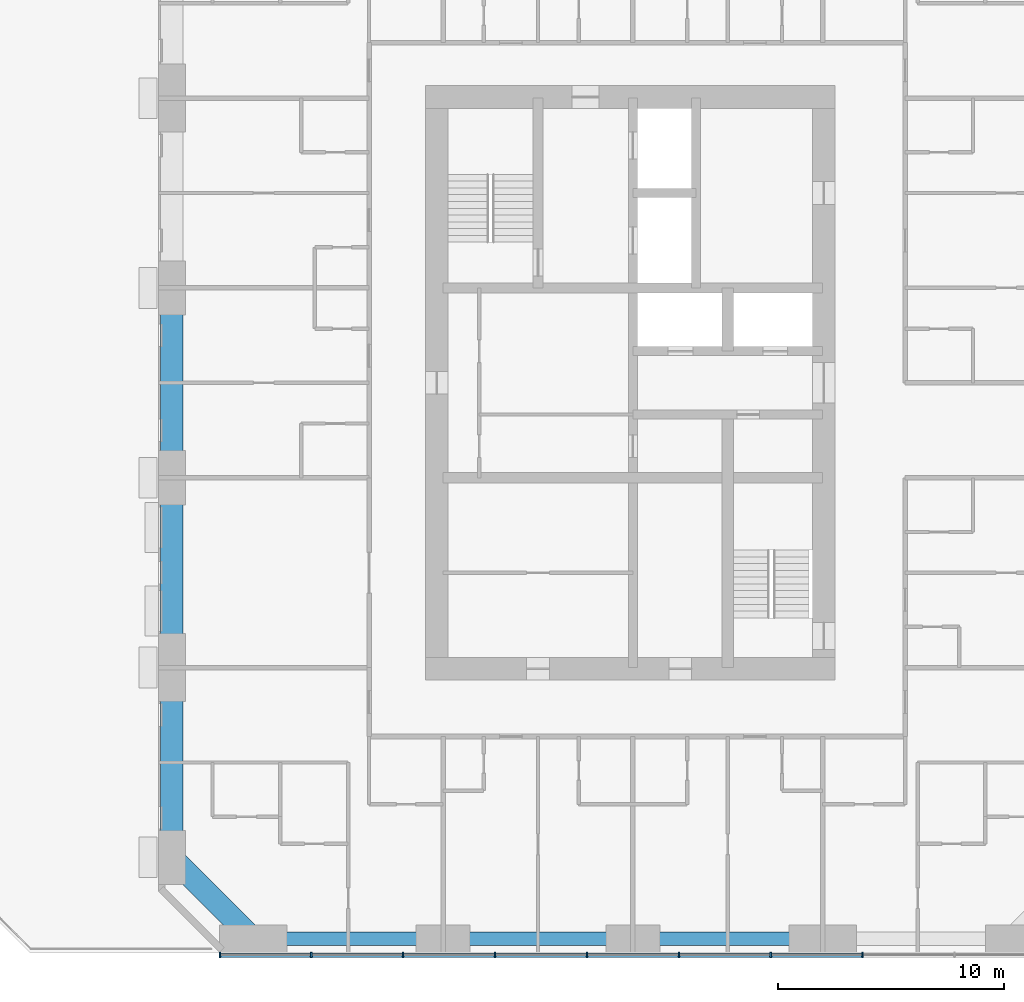
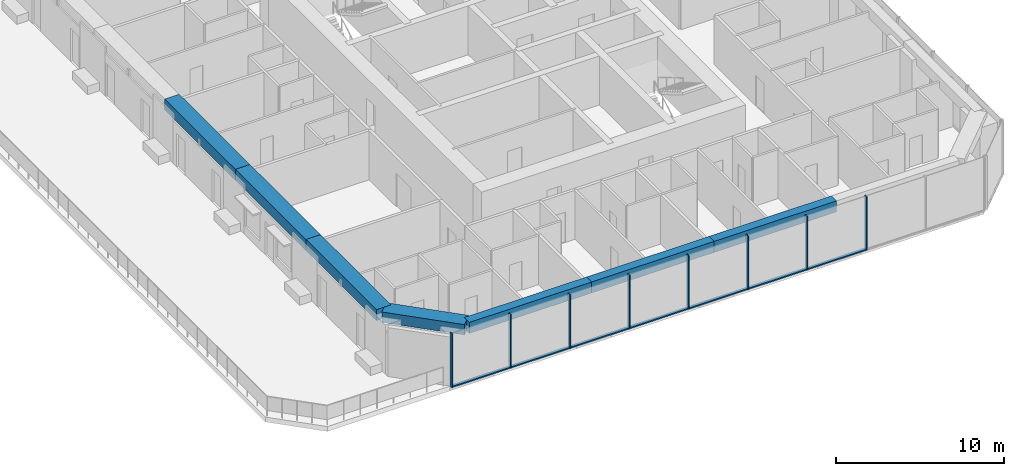
# One storey, part 2 of 13: 15 members, 7 beams, 1 element without a shape of its own.
"""IFC4 building model written with IfcOpenShell, lengths in metres."""

from ifc_helpers import new_model, si_unit, direction, frame, origin, origin_2d, place, context, subcontext, project, spatial, rectangle, extrude, material, material_profile, profile_set, type_object, element, aggregate, save


model = new_model("IFC4")

# Units and contexts
model_context = context("Model", 3, precision=1e-05, world=origin(), true_north=direction((0.0, 1.0)))
body_context = subcontext(model_context, "Body", "Model", "MODEL_VIEW")
ifc_project = project(units=[si_unit("LENGTHUNIT", "METRE"), si_unit("AREAUNIT", "SQUARE_METRE"), si_unit("VOLUMEUNIT", "CUBIC_METRE"), si_unit("PLANEANGLEUNIT", "RADIAN"), si_unit("MASSUNIT", "GRAM", prefix="KILO")], contexts=[model_context])

# Site, building, storey
site_placement = place(None, origin())
site = spatial("IfcSite", under=ifc_project, at=site_placement, CompositionType="ELEMENT")
building_placement = place(site_placement, origin())
building = spatial("IfcBuilding", under=site, at=building_placement, Name="Dunama Terrace Hotel", CompositionType="ELEMENT")
storey_placement = place(building_placement, frame((0.0, 0.0, 225.60009765625)))
storey = spatial("IfcBuildingStorey", under=building, at=storey_placement, Name="L58", CompositionType="ELEMENT", Elevation=225.60009765625)

# Curtain wall, members
ifc_material_1 = material(Name="Aluminium curtain wall system", Category="aluminium")
curtain_wall_type = type_object("IfcCurtainWallType", Name="Unitised fritted glass wall CW-D", PredefinedType="NOTDEFINED", material=ifc_material_1)
curtain_wall_placement = place(storey_placement, origin())
curtain_wall = element("IfcCurtainWall", 1, at=curtain_wall_placement, inside=storey, type_object=curtain_wall_type, Name="Unitised fritted glass wall CW-D L58", PredefinedType="NOTDEFINED")
ifc_material_2 = material(Name="Aluminium mullion", Category="aluminium")
ifc_material_profile_1 = material_profile(ifc_material_2, rectangle(XDim=0.070068359375, YDim=0.239990234375, at=origin_2d()), Name="CWD MULLION 70X240")
ifc_profile_set_1 = profile_set([ifc_material_profile_1], Name="Aluminium mullion")
member_type_1 = type_object("IfcMemberType", Name="CWD mullion 70x240", PredefinedType="MULLION", material=ifc_profile_set_1)
member_1_placement = place(storey_placement, frame((15.3349609375, 4.080078125, 0.0), z_axis=(0.0, 0.0, 1.0), x_axis=(1.0, 0.0, 0.0)))
member_1 = element("IfcMember", 2, at=member_1_placement, type_object=member_type_1, Name="CWD mullion", PredefinedType="MULLION", context=body_context, shape_type="SweptSolid", body=[
    extrude(rectangle(XDim=0.070068359375, YDim=0.239990234375, at=origin_2d()), origin(), (0.0, 0.0, 1.0), 3.89990234375),
])
member_2_placement = place(storey_placement, frame((19.366943359375, 4.080078125, 0.0), z_axis=(0.0, 0.0, 1.0), x_axis=(1.0, 0.0, 0.0)))
member_2 = element("IfcMember", 3, at=member_2_placement, type_object=member_type_1, Name="CWD mullion", PredefinedType="MULLION", context=body_context, shape_type="SweptSolid", body=[
    extrude(rectangle(XDim=0.070068359375, YDim=0.239990234375, at=origin_2d()), origin(), (0.0, 0.0, 1.0), 3.89990234375),
])
member_3_placement = place(storey_placement, frame((23.43310546875, 4.080078125, 0.0), z_axis=(0.0, 0.0, 1.0), x_axis=(1.0, 0.0, 0.0)))
member_3 = element("IfcMember", 4, at=member_3_placement, type_object=member_type_1, Name="CWD mullion", PredefinedType="MULLION", context=body_context, shape_type="SweptSolid", body=[
    extrude(rectangle(XDim=0.070068359375, YDim=0.239990234375, at=origin_2d()), origin(), (0.0, 0.0, 1.0), 3.89990234375),
])
member_4_placement = place(storey_placement, frame((27.5, 4.080078125, 0.0), z_axis=(0.0, 0.0, 1.0), x_axis=(1.0, 0.0, 0.0)))
member_4 = element("IfcMember", 5, at=member_4_placement, type_object=member_type_1, Name="CWD mullion", PredefinedType="MULLION", context=body_context, shape_type="SweptSolid", body=[
    extrude(rectangle(XDim=0.070068359375, YDim=0.239990234375, at=origin_2d()), origin(), (0.0, 0.0, 1.0), 3.89990234375),
])
member_5_placement = place(storey_placement, frame((31.56689453125, 4.080078125, 0.0), z_axis=(0.0, 0.0, 1.0), x_axis=(1.0, 0.0, 0.0)))
member_5 = element("IfcMember", 6, at=member_5_placement, type_object=member_type_1, Name="CWD mullion", PredefinedType="MULLION", context=body_context, shape_type="SweptSolid", body=[
    extrude(rectangle(XDim=0.070068359375, YDim=0.239990234375, at=origin_2d()), origin(), (0.0, 0.0, 1.0), 3.89990234375),
])
member_6_placement = place(storey_placement, frame((35.633056640625, 4.080078125, 0.0), z_axis=(0.0, 0.0, 1.0), x_axis=(1.0, 0.0, 0.0)))
member_6 = element("IfcMember", 7, at=member_6_placement, type_object=member_type_1, Name="CWD mullion", PredefinedType="MULLION", context=body_context, shape_type="SweptSolid", body=[
    extrude(rectangle(XDim=0.070068359375, YDim=0.239990234375, at=origin_2d()), origin(), (0.0, 0.0, 1.0), 3.89990234375),
])
member_7_placement = place(storey_placement, frame((39.699951171875, 4.080078125, 0.0), z_axis=(0.0, 0.0, 1.0), x_axis=(1.0, 0.0, 0.0)))
member_7 = element("IfcMember", 8, at=member_7_placement, type_object=member_type_1, Name="CWD mullion", PredefinedType="MULLION", context=body_context, shape_type="SweptSolid", body=[
    extrude(rectangle(XDim=0.070068359375, YDim=0.239990234375, at=origin_2d()), origin(), (0.0, 0.0, 1.0), 3.89990234375),
])
member_8_placement = place(storey_placement, frame((43.76708984375, 4.080078125, 0.0), z_axis=(0.0, 0.0, 1.0), x_axis=(1.0, 0.0, 0.0)))
member_8 = element("IfcMember", 9, at=member_8_placement, type_object=member_type_1, Name="CWD mullion", PredefinedType="MULLION", context=body_context, shape_type="SweptSolid", body=[
    extrude(rectangle(XDim=0.070068359375, YDim=0.239990234375, at=origin_2d()), origin(), (0.0, 0.0, 1.0), 3.89990234375),
])
ifc_material_3 = material(Name="Aluminium transom", Category="aluminium")
ifc_material_profile_2 = material_profile(ifc_material_3, rectangle(XDim=0.199951171875, YDim=0.0849609375, at=origin_2d()), Name="CWD TRANSOM 200X85")
ifc_profile_set_2 = profile_set([ifc_material_profile_2], Name="Aluminium transom")
member_type_2 = type_object("IfcMemberType", Name="CWD transom 200x85", PredefinedType="USERDEFINED", material=ifc_profile_set_2)
member_9_placement = place(storey_placement, frame((15.3701171875, 4.080078125, 0.04248046875), z_axis=(1.0, 0.0, 0.0), x_axis=(0.0, 1.0, 0.0)))
member_9 = element("IfcMember", 10, at=member_9_placement, type_object=member_type_2, Name="CWD transom", ObjectType="TRANSOM", PredefinedType="USERDEFINED", context=body_context, shape_type="SweptSolid", body=[
    extrude(rectangle(XDim=0.199951171875, YDim=0.0849609375, at=origin_2d()), origin(), (0.0, 0.0, 1.0), 3.9619140625),
])
member_10_placement = place(storey_placement, frame((19.402099609375, 4.080078125, 0.04248046875), z_axis=(1.0, 0.0, 0.0), x_axis=(0.0, 1.0, 0.0)))
member_10 = element("IfcMember", 11, at=member_10_placement, type_object=member_type_2, Name="CWD transom", ObjectType="TRANSOM", PredefinedType="USERDEFINED", context=body_context, shape_type="SweptSolid", body=[
    extrude(rectangle(XDim=0.199951171875, YDim=0.0849609375, at=origin_2d()), origin(), (0.0, 0.0, 1.0), 3.995849609375),
])
member_11_placement = place(storey_placement, frame((23.468017578125, 4.080078125, 0.04248046875), z_axis=(1.0, 0.0, 0.0), x_axis=(0.0, 1.0, 0.0)))
member_11 = element("IfcMember", 12, at=member_11_placement, type_object=member_type_2, Name="CWD transom", ObjectType="TRANSOM", PredefinedType="USERDEFINED", context=body_context, shape_type="SweptSolid", body=[
    extrude(rectangle(XDim=0.199951171875, YDim=0.0849609375, at=origin_2d()), origin(), (0.0, 0.0, 1.0), 3.9970703125),
])
member_12_placement = place(storey_placement, frame((27.534912109375, 4.080078125, 0.04248046875), z_axis=(1.0, 0.0, 0.0), x_axis=(0.0, 1.0, 0.0)))
member_12 = element("IfcMember", 13, at=member_12_placement, type_object=member_type_2, Name="CWD transom", ObjectType="TRANSOM", PredefinedType="USERDEFINED", context=body_context, shape_type="SweptSolid", body=[
    extrude(rectangle(XDim=0.199951171875, YDim=0.0849609375, at=origin_2d()), origin(), (0.0, 0.0, 1.0), 3.9970703125),
])
member_13_placement = place(storey_placement, frame((31.60205078125, 4.080078125, 0.04248046875), z_axis=(1.0, 0.0, 0.0), x_axis=(0.0, 1.0, 0.0)))
member_13 = element("IfcMember", 14, at=member_13_placement, type_object=member_type_2, Name="CWD transom", ObjectType="TRANSOM", PredefinedType="USERDEFINED", context=body_context, shape_type="SweptSolid", body=[
    extrude(rectangle(XDim=0.199951171875, YDim=0.0849609375, at=origin_2d()), origin(), (0.0, 0.0, 1.0), 3.995849609375),
])
member_14_placement = place(storey_placement, frame((35.66796875, 4.080078125, 0.04248046875), z_axis=(1.0, 0.0, 0.0), x_axis=(0.0, 1.0, 0.0)))
member_14 = element("IfcMember", 15, at=member_14_placement, type_object=member_type_2, Name="CWD transom", ObjectType="TRANSOM", PredefinedType="USERDEFINED", context=body_context, shape_type="SweptSolid", body=[
    extrude(rectangle(XDim=0.199951171875, YDim=0.0849609375, at=origin_2d()), origin(), (0.0, 0.0, 1.0), 3.9970703125),
])
member_15_placement = place(storey_placement, frame((39.735107421875, 4.080078125, 0.04248046875), z_axis=(1.0, 0.0, 0.0), x_axis=(0.0, 1.0, 0.0)))
member_15 = element("IfcMember", 16, at=member_15_placement, type_object=member_type_2, Name="CWD transom", ObjectType="TRANSOM", PredefinedType="USERDEFINED", context=body_context, shape_type="SweptSolid", body=[
    extrude(rectangle(XDim=0.199951171875, YDim=0.0849609375, at=origin_2d()), origin(), (0.0, 0.0, 1.0), 3.996826171875),
])
aggregate(curtain_wall, [member_1, member_2, member_3, member_4, member_5, member_6, member_7, member_8, member_9, member_10, member_11, member_12, member_13, member_14, member_15])

# Beams
ifc_material_4 = material(Name="Concrete C50/60", Category="concrete")
ifc_material_profile_3 = material_profile(ifc_material_4, rectangle(XDim=1.0, YDim=0.75, at=origin_2d()), Name="RC 1000x750")
ifc_profile_set_3 = profile_set([ifc_material_profile_3], Name="Concrete C50/60")
beam_type_1 = type_object("IfcBeamType", Name="Edge beam RC 1000x750", PredefinedType="SPANDREL", material=ifc_profile_set_3)
beam_1_placement = place(storey_placement, frame((16.800048828125, 4.800048828125, 3.52490234375), z_axis=(-0.707130757816, 0.707082803744, 0.0), x_axis=(-0.707082803744, -0.707130757816, 0.0)))
element("IfcBeam", 17, at=beam_1_placement, inside=storey, type_object=beam_type_1, Name="Corner edge beam under L59", PredefinedType="SPANDREL", context=body_context, shape_type="SweptSolid", body=[
    extrude(rectangle(XDim=1.0, YDim=0.75, at=origin_2d()), origin(), (0.0, 0.0, 1.0), 5.091064453125),
])
ifc_material_5 = material(Name="Concrete C40/50", Category="concrete")
ifc_material_profile_4 = material_profile(ifc_material_5, rectangle(XDim=1.0, YDim=0.800048828125, at=origin_2d()), Name="RC 1000x800")
ifc_profile_set_4 = profile_set([ifc_material_profile_4], Name="Concrete C40/50")
beam_type_2 = type_object("IfcBeamType", Name="Edge beam RC 1000x800", PredefinedType="SPANDREL", material=ifc_profile_set_4)
beam_2_placement = place(storey_placement, frame((13.199951171875, 8.39990234375, 3.5), z_axis=(0.0, 1.0, 0.0), x_axis=(-1.0, 0.0, 0.0)))
element("IfcBeam", 18, at=beam_2_placement, inside=storey, type_object=beam_type_2, Name="Edge beam under L59", PredefinedType="SPANDREL", context=body_context, shape_type="SweptSolid", body=[
    extrude(rectangle(XDim=1.0, YDim=0.800048828125, at=origin_2d()), origin(), (0.0, 0.0, 1.0), 8.400146484375),
])
beam_3_placement = place(storey_placement, frame((13.199951171875, 16.800048828125, 3.5), z_axis=(0.0, 1.0, 0.0), x_axis=(-1.0, 0.0, 0.0)))
element("IfcBeam", 19, at=beam_3_placement, inside=storey, type_object=beam_type_2, Name="Edge beam under L59", PredefinedType="SPANDREL", context=body_context, shape_type="SweptSolid", body=[
    extrude(rectangle(XDim=1.0, YDim=0.800048828125, at=origin_2d()), origin(), (0.0, 0.0, 1.0), 8.39990234375),
])
beam_4_placement = place(storey_placement, frame((13.199951171875, 25.199951171875, 3.5), z_axis=(0.0, 1.0, 0.0), x_axis=(-1.0, 0.0, 0.0)))
element("IfcBeam", 20, at=beam_4_placement, inside=storey, type_object=beam_type_2, Name="Edge beam under L59", PredefinedType="SPANDREL", context=body_context, shape_type="SweptSolid", body=[
    extrude(rectangle(XDim=1.0, YDim=0.800048828125, at=origin_2d()), origin(), (0.0, 0.0, 1.0), 8.400146484375),
])
ifc_material_6 = material(Name="Concrete C40/50", Category="concrete")
ifc_material_profile_5 = material_profile(ifc_material_6, rectangle(XDim=0.60009765625, YDim=0.800048828125, at=origin_2d()), Name="RC 600x800")
ifc_profile_set_5 = profile_set([ifc_material_profile_5], Name="Concrete C40/50")
beam_type_3 = type_object("IfcBeamType", Name="Edge beam RC 600x800", PredefinedType="SPANDREL", material=ifc_profile_set_5)
beam_5_placement = place(storey_placement, frame((16.800048828125, 4.800048828125, 3.5), z_axis=(1.0, 0.0, 0.0), x_axis=(0.0, 1.0, 0.0)))
element("IfcBeam", 21, at=beam_5_placement, inside=storey, type_object=beam_type_3, Name="Edge beam under L59", PredefinedType="SPANDREL", context=body_context, shape_type="SweptSolid", body=[
    extrude(rectangle(XDim=0.60009765625, YDim=0.800048828125, at=origin_2d()), origin(), (0.0, 0.0, 1.0), 8.39990234375),
])
beam_6_placement = place(storey_placement, frame((25.199951171875, 4.800048828125, 3.5), z_axis=(1.0, 0.0, 0.0), x_axis=(0.0, 1.0, 0.0)))
element("IfcBeam", 22, at=beam_6_placement, inside=storey, type_object=beam_type_3, Name="Edge beam under L59", PredefinedType="SPANDREL", context=body_context, shape_type="SweptSolid", body=[
    extrude(rectangle(XDim=0.60009765625, YDim=0.800048828125, at=origin_2d()), origin(), (0.0, 0.0, 1.0), 8.400146484375),
])
beam_7_placement = place(storey_placement, frame((33.60009765625, 4.800048828125, 3.5), z_axis=(1.0, 0.0, 0.0), x_axis=(0.0, 1.0, 0.0)))
element("IfcBeam", 23, at=beam_7_placement, inside=storey, type_object=beam_type_3, Name="Edge beam under L59", PredefinedType="SPANDREL", context=body_context, shape_type="SweptSolid", body=[
    extrude(rectangle(XDim=0.60009765625, YDim=0.800048828125, at=origin_2d()), origin(), (0.0, 0.0, 1.0), 8.39990234375),
])

save(model, "model.ifc")
